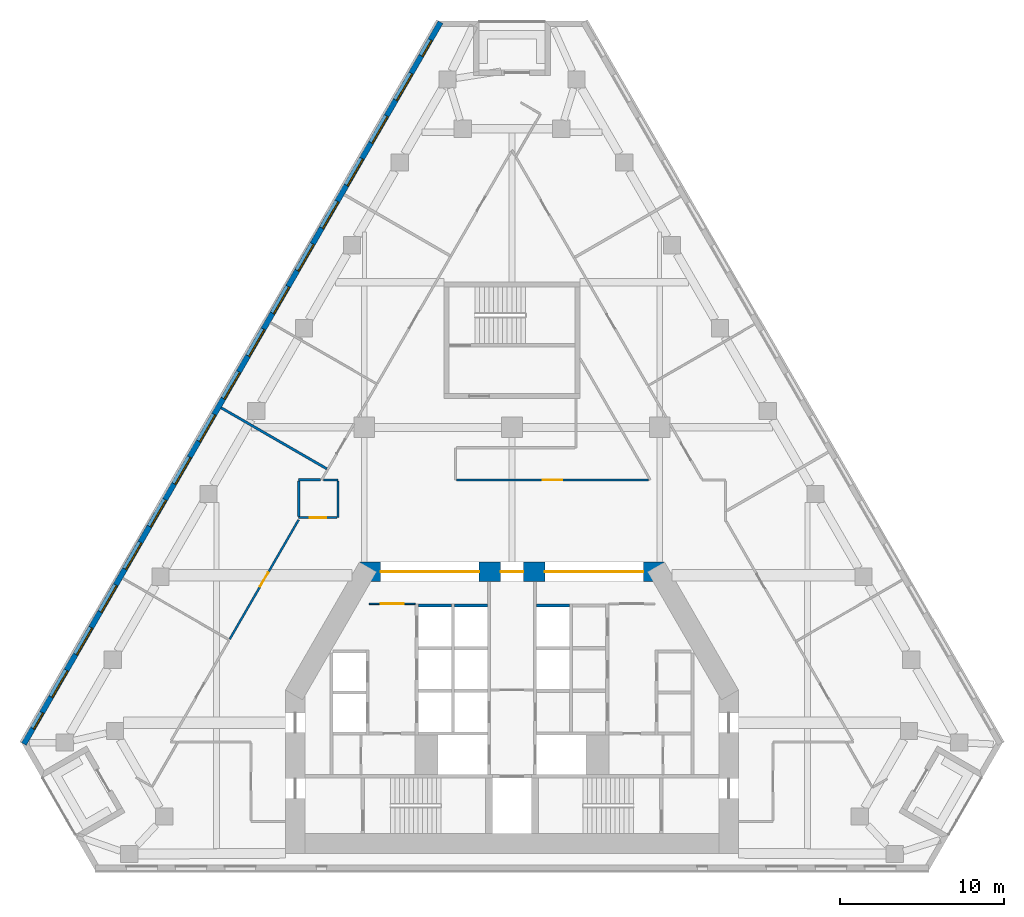
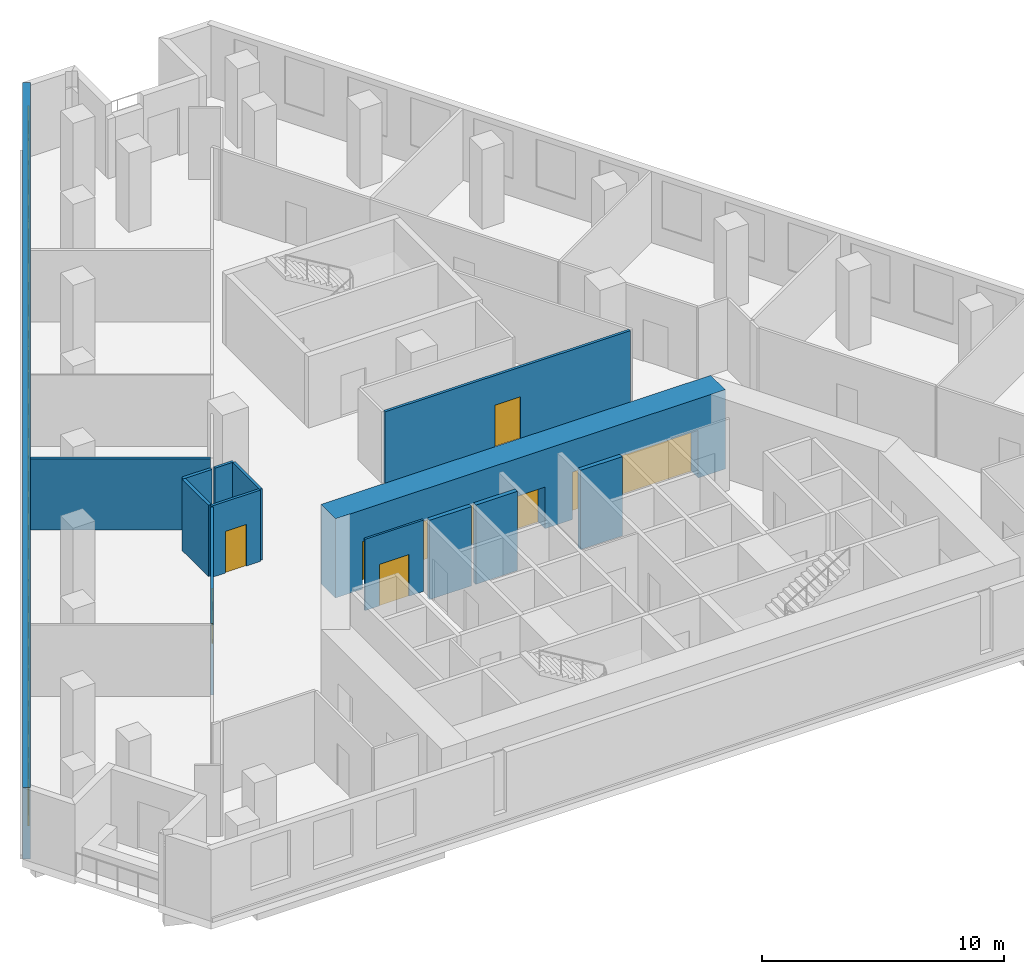
# One storey, part 5 of 10: 17 windows, 14 walls, 7 doors, 24 openings.
"""IFC4 building model written with IfcOpenShell, lengths in metres."""

import ifcopenshell
import ifcopenshell.guid

model = None  # the IFC model being written
_history = None  # IfcOwnerHistory: only IFC2X3 demands one
_inside = {}  # id of a spatial element -> (the spatial element, [elements in it])
_under = {}  # id of a project, library or spatial element -> (it, [spatial elements below it])
_declared = {}  # id of a project -> (the project, [libraries it declares])
_typed = {}  # id of a type object -> (the type object, [elements of that type])
_made_of = {}  # id of a material, layer set ... -> (it, [elements and type objects made of it])


def new_model(schema):
    """Start an empty IFC model of exactly this schema.

    Asked for "IFC4X3", IfcOpenShell would pick the latest addendum, in which some entities
    have other attributes; the version numbers below select the first issue.
    IFC2X3 requires an IfcOwnerHistory on every rooted entity: one is made here for all.
    """
    global model, _history
    if schema == "IFC4X3":
        model = ifcopenshell.file(schema_version=(4, 3, 0, 0))
    else:
        model = ifcopenshell.file(schema=schema)
    _inside.clear()
    _under.clear()
    _declared.clear()
    _typed.clear()
    _made_of.clear()
    _history = None
    if model.schema == "IFC2X3":
        org = make("IfcOrganization", Name="unknown")
        user = make(
            "IfcPersonAndOrganization",
            ThePerson=make("IfcPerson", FamilyName="unknown"),
            TheOrganization=org,
        )
        app = make(
            "IfcApplication",
            ApplicationDeveloper=org,
            Version="unknown",
            ApplicationFullName="unknown",
            ApplicationIdentifier="unknown",
        )
        _history = make(
            "IfcOwnerHistory",
            OwningUser=user,
            OwningApplication=app,
            ChangeAction="ADDED",
            CreationDate=0,
        )
    return model


def make(cls, **values):
    """One entity of the class cls with the attributes given. An attribute that is None is left unset."""
    return model.create_entity(
        cls, **{name: value for name, value in values.items() if value is not None}
    )


def rooted(cls, **values):
    """An entity with a GlobalId (a new one), such as an element, a storey or a relation."""
    return make(cls, GlobalId=ifcopenshell.guid.new(), OwnerHistory=_history, **values)


def si_unit(unit_type, name, prefix=None):
    """IfcSIUnit, for example si_unit("LENGTHUNIT", "METRE", prefix="MILLI")."""
    return make("IfcSIUnit", UnitType=unit_type, Prefix=prefix, Name=name)


def assignment(units):
    """IfcUnitAssignment: the units of a project."""
    return None if units is None else make("IfcUnitAssignment", Units=units)


def point(xyz):
    """IfcCartesianPoint."""
    return None if xyz is None else make("IfcCartesianPoint", Coordinates=xyz)


def direction(xyz):
    """IfcDirection."""
    return None if xyz is None else make("IfcDirection", DirectionRatios=xyz)


def frame(location, z_axis=None, x_axis=None):
    """IfcAxis2Placement3D, a coordinate frame: its origin and axes. An axis left out is left unset."""
    return make(
        "IfcAxis2Placement3D",
        Location=point(location),
        Axis=direction(z_axis),
        RefDirection=direction(x_axis),
    )


def frame_2d(location, x_axis=None):
    """IfcAxis2Placement2D, a coordinate frame in the plane: its origin and x axis."""
    return make(
        "IfcAxis2Placement2D", Location=point(location), RefDirection=direction(x_axis)
    )


def origin():
    """The frame at (0, 0, 0) with its axes left unset."""
    return frame((0.0, 0.0, 0.0))


def place(relative_to, where):
    """IfcLocalPlacement: puts the frame where relative to a parent placement (None: the world)."""
    return make(
        "IfcLocalPlacement", PlacementRelTo=relative_to, RelativePlacement=where
    )


def context(
    kind, dimensions, precision=None, world=None, true_north=None, identifier=None
):
    """IfcGeometricRepresentationContext, for example the 3D "Model" context."""
    return make(
        "IfcGeometricRepresentationContext",
        ContextIdentifier=identifier,
        ContextType=kind,
        CoordinateSpaceDimension=dimensions,
        Precision=precision,
        WorldCoordinateSystem=world,
        TrueNorth=true_north,
    )


def subcontext(parent, identifier, kind, view, scale=None):
    """IfcGeometricRepresentationSubContext, for example "Body" below "Model"."""
    return make(
        "IfcGeometricRepresentationSubContext",
        ContextIdentifier=identifier,
        ContextType=kind,
        ParentContext=parent,
        TargetScale=scale,
        TargetView=view,
    )


def project(units=None, contexts=None):
    """IfcProject with its units and contexts."""
    return rooted(
        "IfcProject",
        Name="project",
        RepresentationContexts=contexts,
        UnitsInContext=assignment(units),
    )


def spatial(cls, under=None, at=None, **own):
    """A site, building, storey or space (cls), placed at a placement, below another one or the project."""
    s = rooted(cls, ObjectPlacement=at, **own)
    if under is not None:
        _under.setdefault(under.id(), (under, []))[1].append(s)
    return s


def profile(cls, at=None, kind="AREA", **sizes):
    """A parametric profile (cls). Its sizes go by their IFC names, for example OverallWidth=200.0."""
    return make(cls, ProfileType=kind, Position=at, **sizes)


def rectangle(**sizes):
    """IfcRectangleProfileDef."""
    return profile("IfcRectangleProfileDef", **sizes)


def extrude(swept, where, along, depth):
    """IfcExtrudedAreaSolid: the profile swept, set in the frame where, extruded along a direction by depth."""
    return make(
        "IfcExtrudedAreaSolid",
        SweptArea=swept,
        Position=where,
        ExtrudedDirection=direction(along),
        Depth=depth,
    )


def shape(context_of_items, identifier, shape_type, items):
    """IfcShapeRepresentation: the items that make up one representation, for example the "Body"."""
    return make(
        "IfcShapeRepresentation",
        ContextOfItems=context_of_items,
        RepresentationIdentifier=identifier,
        RepresentationType=shape_type,
        Items=items,
    )


def material(Name=None, Category=None):
    """IfcMaterial."""
    return make("IfcMaterial", Name=Name, Category=Category)


def layer(
    of_material, thickness, ventilated=None, Name=None, Category=None, Priority=None
):
    """IfcMaterialLayer: one layer of a wall or slab, of a material (None: an air gap)."""
    return make(
        "IfcMaterialLayer",
        Material=of_material,
        LayerThickness=thickness,
        IsVentilated=ventilated,
        Name=Name,
        Category=Category,
        Priority=Priority,
    )


def layer_set(layers, Name=None):
    """IfcMaterialLayerSet."""
    return make("IfcMaterialLayerSet", MaterialLayers=layers, LayerSetName=Name)


def made_of(thing, what):
    """Note that an element or type object is made of a material, layer set ...; save() writes the relation."""
    if what is not None:
        _made_of.setdefault(what.id(), (what, []))[1].append(thing)
    return thing


def type_object(cls, material=None, **own):
    """A type object (cls), such as IfcWallType, which elements share."""
    return made_of(rooted(cls, **own), material)


def element(
    cls,
    number,
    at=None,
    inside=None,
    cuts=None,
    type_object=None,
    material=None,
    context=None,
    identifier="Body",
    shape_type=None,
    held_by="IfcProductDefinitionShape",
    body=None,
    shapes=None,
    **own,
):
    """One element of the class cls, such as IfcWall. Its Tag is "e" and its number.

    at: its placement. inside: the storey or other place that contains it. cuts: it is an
    opening in that element (IfcRelVoidsElement). A single representation is given by context,
    identifier, shape_type and body (its items); several are given by shapes. held_by: the class
    of the entity that holds the representations. save() writes the other relations.
    """
    e = rooted(cls, Tag="e%d" % number, ObjectPlacement=at, **own)
    if body is not None:
        shapes = [shape(context, identifier, shape_type, body)]
    if shapes is not None:
        e.Representation = make(held_by, Representations=shapes)
    if inside is not None:
        _inside.setdefault(inside.id(), (inside, []))[1].append(e)
    if cuts is not None:
        rooted(
            "IfcRelVoidsElement", RelatingBuildingElement=cuts, RelatedOpeningElement=e
        )
    if type_object is not None:
        _typed.setdefault(type_object.id(), (type_object, []))[1].append(e)
    return made_of(e, material)


def fill(opening, filler):
    """IfcRelFillsElement: the door or window that sits in an opening."""
    return rooted(
        "IfcRelFillsElement",
        RelatingOpeningElement=opening,
        RelatedBuildingElement=filler,
    )


def aggregate(whole, parts):
    """IfcRelAggregates: a whole, such as a stair, and the parts it consists of."""
    return rooted("IfcRelAggregates", RelatingObject=whole, RelatedObjects=parts)


def save(model, path):
    """Write the relations noted so far, then the file.

    IfcRelAggregates (storeys below a building ...), IfcRelContainedInSpatialStructure (elements
    in a storey), IfcRelDefinesByType, IfcRelAssociatesMaterial and IfcRelDeclares: one each for
    every whole, place, type object, material and project.
    """
    for whole, parts in _under.values():
        aggregate(whole, parts)
    for where, things in _inside.values():
        rooted(
            "IfcRelContainedInSpatialStructure",
            RelatedElements=things,
            RelatingStructure=where,
        )
    for kind, things in _typed.values():
        rooted("IfcRelDefinesByType", RelatedObjects=things, RelatingType=kind)
    for what, things in _made_of.values():
        rooted("IfcRelAssociatesMaterial", RelatedObjects=things, RelatingMaterial=what)
    for by, libraries in _declared.values():
        rooted("IfcRelDeclares", RelatingContext=by, RelatedDefinitions=libraries)
    model.write(path)


model = new_model("IFC4")

# Units and contexts
model_context = context("Model", 3, precision=1e-05, world=origin(), true_north=direction((0.0, 1.0)))
body_context = subcontext(model_context, "Body", "Model", "MODEL_VIEW")
ifc_project = project(units=[si_unit("LENGTHUNIT", "METRE"), si_unit("AREAUNIT", "SQUARE_METRE"), si_unit("VOLUMEUNIT", "CUBIC_METRE"), si_unit("PLANEANGLEUNIT", "RADIAN"), si_unit("MASSUNIT", "GRAM", prefix="KILO")], contexts=[model_context])

# Site, building, storey
site_placement = place(None, origin())
site = spatial("IfcSite", under=ifc_project, at=site_placement, CompositionType="ELEMENT")
building_placement = place(site_placement, origin())
building = spatial("IfcBuilding", under=site, at=building_placement, Name="Fogline Exchange Tower", CompositionType="ELEMENT")
storey_placement = place(building_placement, frame((0.0, 0.0, 120.10009765625)))
storey = spatial("IfcBuildingStorey", under=building, at=storey_placement, Name="L26", CompositionType="ELEMENT", Elevation=120.10009765625)

# Wall, opening, door
ifc_material_1 = material(Name="Blockwork partition", Category="masonry")
ifc_layer_1 = layer(ifc_material_1, 0.10009765625)
ifc_layer_set_1 = layer_set([ifc_layer_1], Name="CW10")
wall_type_1 = type_object("IfcWallType", Name="CW10", PredefinedType="PARTITIONING", material=ifc_layer_set_1)
wall_1_placement = place(storey_placement, frame((-8.699951171875, 16.25, 0.0), z_axis=(0.0, 0.0, 1.0), x_axis=(1.0, 0.0, 0.0)))
wall_1 = element("IfcWall", 1, at=wall_1_placement, inside=storey, type_object=wall_type_1, Name="Lift lobby partition", PredefinedType="PARTITIONING", context=body_context, shape_type="SweptSolid", body=[
    extrude(rectangle(XDim=2.800048828125, YDim=0.10009765625, at=frame_2d((1.39990234375, 0.0))), origin(), (0.0, 0.0, 1.0), 3.599853515625),
])
opening_1_placement = place(wall_1_placement, frame((0.699951171875, 0.0, 0.0)))
opening_1 = element("IfcOpeningElement", 2, at=opening_1_placement, cuts=wall_1, Name="Opening T08-C007", PredefinedType="OPENING", context=body_context, shape_type="SweptSolid", body=[
    extrude(rectangle(XDim=1.39990234375, YDim=2.10009765625, at=frame_2d((0.699951171875, 1.050048828125))), frame((0.0, 0.06005859375, 0.0), z_axis=(0.0, -1.0, 0.0), x_axis=(1.0, 0.0, 0.0)), (0.0, 0.0, 1.0), 0.1201171875),
])
ifc_material_2 = material(Name="Steel and timber fire door", Category="steel")
door_type_1 = type_object("IfcDoorType", Name="D-LB1", OperationType="DOUBLE_DOOR_SINGLE_SWING", PredefinedType="DOOR", material=ifc_material_2)
door_1_placement = place(opening_1_placement, origin())
door_1 = element("IfcDoor", 3, at=door_1_placement, inside=storey, type_object=door_type_1, Name="Door to lift lobby", OperationType="DOUBLE_DOOR_SINGLE_SWING", OverallHeight=2.10009765625, OverallWidth=1.39990234375, PredefinedType="DOOR", context=body_context, shape_type="SweptSolid", body=[
    extrude(rectangle(XDim=1.39990234375, YDim=2.10009765625, at=frame_2d((0.699951171875, 1.050048828125))), frame((0.0, 0.02490234375, 0.0), z_axis=(0.0, -1.0, 0.0), x_axis=(1.0, 0.0, 0.0)), (0.0, 0.0, 1.0), 0.050048828125),
])
fill(opening_1, door_1)

# Walls
ifc_material_3 = material(Name="Concrete C40", Category="concrete")
ifc_layer_2 = layer(ifc_material_3, 0.199951171875)
ifc_layer_set_2 = layer_set([ifc_layer_2], Name="CW20S")
wall_type_2 = type_object("IfcWallType", Name="CW20S", PredefinedType="SOLIDWALL", material=ifc_layer_set_2)
for number, where, z_axis, x_axis, name in (
    (4, (-5.699951171875, 16.14990234375, -0.400146484375), (0.0, 0.0, 1.0), (1.0, 0.0, 0.0), "Lift shaft wall"),
    (5, (-3.5, 16.14990234375, -0.400146484375), (0.0, 0.0, 1.0), (1.0, 0.0, 0.0), "Lift shaft wall"),
    (6, (1.5, 16.14990234375, -0.400146484375), (0.0, 0.0, 1.0), (1.0, 0.0, 0.0), "Lift shaft wall"),
):
    element("IfcWall", number, at=place(storey_placement, frame(where, z_axis=z_axis, x_axis=x_axis)), inside=storey, type_object=wall_type_2, Name=name, PredefinedType="SOLIDWALL", context=body_context, shape_type="SweptSolid", body=[
        extrude(rectangle(XDim=2.0, YDim=0.199951171875, at=frame_2d((1.0, 0.0))), origin(), (0.0, 0.0, 1.0), 4.0),
    ])

# Wall, openings, windows
ifc_material_4 = material(Name="Brick masonry", Category="masonry")
ifc_layer_3 = layer(ifc_material_4, 0.340087890625)
ifc_layer_set_3 = layer_set([ifc_layer_3], Name="FW1")
wall_type_3 = type_object("IfcWallType", Name="FW1", PredefinedType="SOLIDWALL", material=ifc_layer_set_3)
wall_2_placement = place(storey_placement, frame((-4.352783203125, 51.691650390625, 0.0), z_axis=(0.0, 0.0, 1.0), x_axis=(-0.500000700546, -0.866024999324, 0.0)))
wall_2 = element("IfcWall", 7, at=wall_2_placement, inside=storey, type_object=wall_type_3, Name="Brick wall L26 W", PredefinedType="SOLIDWALL", context=body_context, shape_type="SweptSolid", body=[
    extrude(rectangle(XDim=50.78662109375, YDim=0.340087890625, at=frame_2d((25.393310546875, 0.0))), origin(), (0.0, 0.0, 1.0), 3.599853515625),
])
opening_2_placement = place(wall_2_placement, frame((3.58984375, 0.0, 0.89990234375)))
opening_2 = element("IfcOpeningElement", 8, at=opening_2_placement, cuts=wall_2, Name="Opening W1", PredefinedType="OPENING", context=body_context, shape_type="SweptSolid", body=[
    extrude(rectangle(XDim=1.885009765625, YDim=2.39990234375, at=frame_2d((0.9423828125, 1.199951171875))), frame((0.0, 0.18017578125, 0.0), z_axis=(0.0, -1.0, 0.0), x_axis=(1.0, 0.0, 0.0)), (0.0, 0.0, 1.0), 0.360107421875),
])
opening_3_placement = place(wall_2_placement, frame((6.58984375, 0.0, 0.89990234375)))
opening_3 = element("IfcOpeningElement", 9, at=opening_3_placement, cuts=wall_2, Name="Opening W1", PredefinedType="OPENING", context=body_context, shape_type="SweptSolid", body=[
    extrude(rectangle(XDim=1.885009765625, YDim=2.39990234375, at=frame_2d((0.9423828125, 1.199951171875))), frame((0.0, 0.18017578125, 0.0), z_axis=(0.0, -1.0, 0.0), x_axis=(1.0, 0.0, 0.0)), (0.0, 0.0, 1.0), 0.360107421875),
])
opening_4_placement = place(wall_2_placement, frame((9.58984375, 0.0, 0.89990234375)))
opening_4 = element("IfcOpeningElement", 10, at=opening_4_placement, cuts=wall_2, Name="Opening W1", PredefinedType="OPENING", context=body_context, shape_type="SweptSolid", body=[
    extrude(rectangle(XDim=1.885009765625, YDim=2.39990234375, at=frame_2d((0.9423828125, 1.199951171875))), frame((0.0, 0.18017578125, 0.0), z_axis=(0.0, -1.0, 0.0), x_axis=(1.0, 0.0, 0.0)), (0.0, 0.0, 1.0), 0.360107421875),
])
opening_5_placement = place(wall_2_placement, frame((12.58984375, 0.0, 0.89990234375)))
opening_5 = element("IfcOpeningElement", 11, at=opening_5_placement, cuts=wall_2, Name="Opening W1", PredefinedType="OPENING", context=body_context, shape_type="SweptSolid", body=[
    extrude(rectangle(XDim=1.885009765625, YDim=2.39990234375, at=frame_2d((0.9423828125, 1.199951171875))), frame((0.0, 0.18017578125, 0.0), z_axis=(0.0, -1.0, 0.0), x_axis=(1.0, 0.0, 0.0)), (0.0, 0.0, 1.0), 0.360107421875),
])
opening_6_placement = place(wall_2_placement, frame((15.58984375, 0.0, 0.89990234375)))
opening_6 = element("IfcOpeningElement", 12, at=opening_6_placement, cuts=wall_2, Name="Opening W1", PredefinedType="OPENING", context=body_context, shape_type="SweptSolid", body=[
    extrude(rectangle(XDim=1.885009765625, YDim=2.39990234375, at=frame_2d((0.9423828125, 1.199951171875))), frame((0.0, 0.18017578125, 0.0), z_axis=(0.0, -1.0, 0.0), x_axis=(1.0, 0.0, 0.0)), (0.0, 0.0, 1.0), 0.360107421875),
])
opening_7_placement = place(wall_2_placement, frame((18.58984375, 0.0, 0.89990234375)))
opening_7 = element("IfcOpeningElement", 13, at=opening_7_placement, cuts=wall_2, Name="Opening W1", PredefinedType="OPENING", context=body_context, shape_type="SweptSolid", body=[
    extrude(rectangle(XDim=1.885009765625, YDim=2.39990234375, at=frame_2d((0.9423828125, 1.199951171875))), frame((0.0, 0.18017578125, 0.0), z_axis=(0.0, -1.0, 0.0), x_axis=(1.0, 0.0, 0.0)), (0.0, 0.0, 1.0), 0.360107421875),
])
opening_8_placement = place(wall_2_placement, frame((21.58984375, 0.0, 0.89990234375)))
opening_8 = element("IfcOpeningElement", 14, at=opening_8_placement, cuts=wall_2, Name="Opening W1", PredefinedType="OPENING", context=body_context, shape_type="SweptSolid", body=[
    extrude(rectangle(XDim=1.885009765625, YDim=2.39990234375, at=frame_2d((0.9423828125, 1.199951171875))), frame((0.0, 0.18017578125, 0.0), z_axis=(0.0, -1.0, 0.0), x_axis=(1.0, 0.0, 0.0)), (0.0, 0.0, 1.0), 0.360107421875),
])
opening_9_placement = place(wall_2_placement, frame((24.58984375, 0.0, 0.89990234375)))
opening_9 = element("IfcOpeningElement", 15, at=opening_9_placement, cuts=wall_2, Name="Opening W1", PredefinedType="OPENING", context=body_context, shape_type="SweptSolid", body=[
    extrude(rectangle(XDim=1.885009765625, YDim=2.39990234375, at=frame_2d((0.9423828125, 1.199951171875))), frame((0.0, 0.18017578125, 0.0), z_axis=(0.0, -1.0, 0.0), x_axis=(1.0, 0.0, 0.0)), (0.0, 0.0, 1.0), 0.360107421875),
])
opening_10_placement = place(wall_2_placement, frame((27.58984375, 0.0, 0.89990234375)))
opening_10 = element("IfcOpeningElement", 16, at=opening_10_placement, cuts=wall_2, Name="Opening W1", PredefinedType="OPENING", context=body_context, shape_type="SweptSolid", body=[
    extrude(rectangle(XDim=1.885009765625, YDim=2.39990234375, at=frame_2d((0.9423828125, 1.199951171875))), frame((0.0, 0.18017578125, 0.0), z_axis=(0.0, -1.0, 0.0), x_axis=(1.0, 0.0, 0.0)), (0.0, 0.0, 1.0), 0.360107421875),
])
opening_11_placement = place(wall_2_placement, frame((30.58984375, 0.0, 0.89990234375)))
opening_11 = element("IfcOpeningElement", 17, at=opening_11_placement, cuts=wall_2, Name="Opening W1", PredefinedType="OPENING", context=body_context, shape_type="SweptSolid", body=[
    extrude(rectangle(XDim=1.885009765625, YDim=2.39990234375, at=frame_2d((0.9423828125, 1.199951171875))), frame((0.0, 0.18017578125, 0.0), z_axis=(0.0, -1.0, 0.0), x_axis=(1.0, 0.0, 0.0)), (0.0, 0.0, 1.0), 0.360107421875),
])
opening_12_placement = place(wall_2_placement, frame((33.58984375, 0.0, 0.89990234375)))
opening_12 = element("IfcOpeningElement", 18, at=opening_12_placement, cuts=wall_2, Name="Opening W1", PredefinedType="OPENING", context=body_context, shape_type="SweptSolid", body=[
    extrude(rectangle(XDim=1.885009765625, YDim=2.39990234375, at=frame_2d((0.9423828125, 1.199951171875))), frame((0.0, 0.18017578125, 0.0), z_axis=(0.0, -1.0, 0.0), x_axis=(1.0, 0.0, 0.0)), (0.0, 0.0, 1.0), 0.360107421875),
])
opening_13_placement = place(wall_2_placement, frame((36.58984375, 0.0, 0.89990234375)))
opening_13 = element("IfcOpeningElement", 19, at=opening_13_placement, cuts=wall_2, Name="Opening W1", PredefinedType="OPENING", context=body_context, shape_type="SweptSolid", body=[
    extrude(rectangle(XDim=1.885009765625, YDim=2.39990234375, at=frame_2d((0.9423828125, 1.199951171875))), frame((0.0, 0.18017578125, 0.0), z_axis=(0.0, -1.0, 0.0), x_axis=(1.0, 0.0, 0.0)), (0.0, 0.0, 1.0), 0.360107421875),
])
opening_14_placement = place(wall_2_placement, frame((39.58984375, 0.0, 0.89990234375)))
opening_14 = element("IfcOpeningElement", 20, at=opening_14_placement, cuts=wall_2, Name="Opening W1", PredefinedType="OPENING", context=body_context, shape_type="SweptSolid", body=[
    extrude(rectangle(XDim=1.885009765625, YDim=2.39990234375, at=frame_2d((0.9423828125, 1.199951171875))), frame((0.0, 0.18017578125, 0.0), z_axis=(0.0, -1.0, 0.0), x_axis=(1.0, 0.0, 0.0)), (0.0, 0.0, 1.0), 0.360107421875),
])
opening_15_placement = place(wall_2_placement, frame((42.58984375, 0.0, 0.89990234375)))
opening_15 = element("IfcOpeningElement", 21, at=opening_15_placement, cuts=wall_2, Name="Opening W1", PredefinedType="OPENING", context=body_context, shape_type="SweptSolid", body=[
    extrude(rectangle(XDim=1.885009765625, YDim=2.39990234375, at=frame_2d((0.9423828125, 1.199951171875))), frame((0.0, 0.18017578125, 0.0), z_axis=(0.0, -1.0, 0.0), x_axis=(1.0, 0.0, 0.0)), (0.0, 0.0, 1.0), 0.360107421875),
])
opening_16_placement = place(wall_2_placement, frame((45.58984375, 0.0, 0.89990234375)))
opening_16 = element("IfcOpeningElement", 22, at=opening_16_placement, cuts=wall_2, Name="Opening W1", PredefinedType="OPENING", context=body_context, shape_type="SweptSolid", body=[
    extrude(rectangle(XDim=1.885009765625, YDim=2.39990234375, at=frame_2d((0.9423828125, 1.199951171875))), frame((0.0, 0.18017578125, 0.0), z_axis=(0.0, -1.0, 0.0), x_axis=(1.0, 0.0, 0.0)), (0.0, 0.0, 1.0), 0.360107421875),
])
opening_17_placement = place(wall_2_placement, frame((1.237548828125, 0.0, 0.89990234375)))
opening_17 = element("IfcOpeningElement", 23, at=opening_17_placement, cuts=wall_2, Name="Opening W4", PredefinedType="OPENING", context=body_context, shape_type="SweptSolid", body=[
    extrude(rectangle(XDim=1.114990234375, YDim=2.39990234375, at=frame_2d((0.5576171875, 1.199951171875))), frame((0.0, 0.18017578125, 0.0), z_axis=(0.0, -1.0, 0.0), x_axis=(1.0, 0.0, 0.0)), (0.0, 0.0, 1.0), 0.360107421875),
])
opening_18_placement = place(wall_2_placement, frame((48.5732421875, 0.0, 0.89990234375)))
opening_18 = element("IfcOpeningElement", 24, at=opening_18_placement, cuts=wall_2, Name="Opening W4", PredefinedType="OPENING", context=body_context, shape_type="SweptSolid", body=[
    extrude(rectangle(XDim=1.114990234375, YDim=2.39990234375, at=frame_2d((0.5576171875, 1.199951171875))), frame((0.0, 0.18017578125, 0.0), z_axis=(0.0, -1.0, 0.0), x_axis=(1.0, 0.0, 0.0)), (0.0, 0.0, 1.0), 0.360107421875),
])
ifc_material_5 = material(Name="Aluminium and glass", Category="aluminium")
window_type_1 = type_object("IfcWindowType", Name="W1", PartitioningType="SINGLE_PANEL", PredefinedType="WINDOW", material=ifc_material_5)
window_1_placement = place(opening_2_placement, origin())
window_1 = element("IfcWindow", 25, at=window_1_placement, inside=storey, type_object=window_type_1, Name="W1 W1", OverallHeight=2.39990234375, OverallWidth=1.885009765625, PartitioningType="SINGLE_PANEL", PredefinedType="WINDOW", context=body_context, shape_type="SweptSolid", body=[
    extrude(rectangle(XDim=1.885009765625, YDim=2.39990234375, at=frame_2d((0.9423828125, 1.199951171875))), frame((0.0, 0.110107421875, 0.0), z_axis=(0.0, -1.0, 0.0), x_axis=(1.0, 0.0, 0.0)), (0.0, 0.0, 1.0), 0.06005859375),
])
fill(opening_2, window_1)
window_2_placement = place(opening_3_placement, origin())
window_2 = element("IfcWindow", 26, at=window_2_placement, inside=storey, type_object=window_type_1, Name="W1 W1", OverallHeight=2.39990234375, OverallWidth=1.885009765625, PartitioningType="SINGLE_PANEL", PredefinedType="WINDOW", context=body_context, shape_type="SweptSolid", body=[
    extrude(rectangle(XDim=1.885009765625, YDim=2.39990234375, at=frame_2d((0.9423828125, 1.199951171875))), frame((0.0, 0.110107421875, 0.0), z_axis=(0.0, -1.0, 0.0), x_axis=(1.0, 0.0, 0.0)), (0.0, 0.0, 1.0), 0.06005859375),
])
fill(opening_3, window_2)
window_3_placement = place(opening_4_placement, origin())
window_3 = element("IfcWindow", 27, at=window_3_placement, inside=storey, type_object=window_type_1, Name="W1 W1", OverallHeight=2.39990234375, OverallWidth=1.885009765625, PartitioningType="SINGLE_PANEL", PredefinedType="WINDOW", context=body_context, shape_type="SweptSolid", body=[
    extrude(rectangle(XDim=1.885009765625, YDim=2.39990234375, at=frame_2d((0.9423828125, 1.199951171875))), frame((0.0, 0.110107421875, 0.0), z_axis=(0.0, -1.0, 0.0), x_axis=(1.0, 0.0, 0.0)), (0.0, 0.0, 1.0), 0.06005859375),
])
fill(opening_4, window_3)
window_4_placement = place(opening_5_placement, origin())
window_4 = element("IfcWindow", 28, at=window_4_placement, inside=storey, type_object=window_type_1, Name="W1 W1", OverallHeight=2.39990234375, OverallWidth=1.885009765625, PartitioningType="SINGLE_PANEL", PredefinedType="WINDOW", context=body_context, shape_type="SweptSolid", body=[
    extrude(rectangle(XDim=1.885009765625, YDim=2.39990234375, at=frame_2d((0.9423828125, 1.199951171875))), frame((0.0, 0.110107421875, 0.0), z_axis=(0.0, -1.0, 0.0), x_axis=(1.0, 0.0, 0.0)), (0.0, 0.0, 1.0), 0.06005859375),
])
fill(opening_5, window_4)
window_5_placement = place(opening_6_placement, origin())
window_5 = element("IfcWindow", 29, at=window_5_placement, inside=storey, type_object=window_type_1, Name="W1 W1", OverallHeight=2.39990234375, OverallWidth=1.885009765625, PartitioningType="SINGLE_PANEL", PredefinedType="WINDOW", context=body_context, shape_type="SweptSolid", body=[
    extrude(rectangle(XDim=1.885009765625, YDim=2.39990234375, at=frame_2d((0.9423828125, 1.199951171875))), frame((0.0, 0.110107421875, 0.0), z_axis=(0.0, -1.0, 0.0), x_axis=(1.0, 0.0, 0.0)), (0.0, 0.0, 1.0), 0.06005859375),
])
fill(opening_6, window_5)
window_6_placement = place(opening_7_placement, origin())
window_6 = element("IfcWindow", 30, at=window_6_placement, inside=storey, type_object=window_type_1, Name="W1 W1", OverallHeight=2.39990234375, OverallWidth=1.885009765625, PartitioningType="SINGLE_PANEL", PredefinedType="WINDOW", context=body_context, shape_type="SweptSolid", body=[
    extrude(rectangle(XDim=1.885009765625, YDim=2.39990234375, at=frame_2d((0.9423828125, 1.199951171875))), frame((0.0, 0.110107421875, 0.0), z_axis=(0.0, -1.0, 0.0), x_axis=(1.0, 0.0, 0.0)), (0.0, 0.0, 1.0), 0.06005859375),
])
fill(opening_7, window_6)
window_7_placement = place(opening_8_placement, origin())
window_7 = element("IfcWindow", 31, at=window_7_placement, inside=storey, type_object=window_type_1, Name="W1 W1", OverallHeight=2.39990234375, OverallWidth=1.885009765625, PartitioningType="SINGLE_PANEL", PredefinedType="WINDOW", context=body_context, shape_type="SweptSolid", body=[
    extrude(rectangle(XDim=1.885009765625, YDim=2.39990234375, at=frame_2d((0.9423828125, 1.199951171875))), frame((0.0, 0.110107421875, 0.0), z_axis=(0.0, -1.0, 0.0), x_axis=(1.0, 0.0, 0.0)), (0.0, 0.0, 1.0), 0.06005859375),
])
fill(opening_8, window_7)
window_8_placement = place(opening_9_placement, origin())
window_8 = element("IfcWindow", 32, at=window_8_placement, inside=storey, type_object=window_type_1, Name="W1 W1", OverallHeight=2.39990234375, OverallWidth=1.885009765625, PartitioningType="SINGLE_PANEL", PredefinedType="WINDOW", context=body_context, shape_type="SweptSolid", body=[
    extrude(rectangle(XDim=1.885009765625, YDim=2.39990234375, at=frame_2d((0.9423828125, 1.199951171875))), frame((0.0, 0.110107421875, 0.0), z_axis=(0.0, -1.0, 0.0), x_axis=(1.0, 0.0, 0.0)), (0.0, 0.0, 1.0), 0.06005859375),
])
fill(opening_9, window_8)
window_9_placement = place(opening_10_placement, origin())
window_9 = element("IfcWindow", 33, at=window_9_placement, inside=storey, type_object=window_type_1, Name="W1 W1", OverallHeight=2.39990234375, OverallWidth=1.885009765625, PartitioningType="SINGLE_PANEL", PredefinedType="WINDOW", context=body_context, shape_type="SweptSolid", body=[
    extrude(rectangle(XDim=1.885009765625, YDim=2.39990234375, at=frame_2d((0.9423828125, 1.199951171875))), frame((0.0, 0.110107421875, 0.0), z_axis=(0.0, -1.0, 0.0), x_axis=(1.0, 0.0, 0.0)), (0.0, 0.0, 1.0), 0.06005859375),
])
fill(opening_10, window_9)
window_10_placement = place(opening_11_placement, origin())
window_10 = element("IfcWindow", 34, at=window_10_placement, inside=storey, type_object=window_type_1, Name="W1 W1", OverallHeight=2.39990234375, OverallWidth=1.885009765625, PartitioningType="SINGLE_PANEL", PredefinedType="WINDOW", context=body_context, shape_type="SweptSolid", body=[
    extrude(rectangle(XDim=1.885009765625, YDim=2.39990234375, at=frame_2d((0.9423828125, 1.199951171875))), frame((0.0, 0.110107421875, 0.0), z_axis=(0.0, -1.0, 0.0), x_axis=(1.0, 0.0, 0.0)), (0.0, 0.0, 1.0), 0.06005859375),
])
fill(opening_11, window_10)
window_11_placement = place(opening_12_placement, origin())
window_11 = element("IfcWindow", 35, at=window_11_placement, inside=storey, type_object=window_type_1, Name="W1 W1", OverallHeight=2.39990234375, OverallWidth=1.885009765625, PartitioningType="SINGLE_PANEL", PredefinedType="WINDOW", context=body_context, shape_type="SweptSolid", body=[
    extrude(rectangle(XDim=1.885009765625, YDim=2.39990234375, at=frame_2d((0.9423828125, 1.199951171875))), frame((0.0, 0.110107421875, 0.0), z_axis=(0.0, -1.0, 0.0), x_axis=(1.0, 0.0, 0.0)), (0.0, 0.0, 1.0), 0.06005859375),
])
fill(opening_12, window_11)
window_12_placement = place(opening_13_placement, origin())
window_12 = element("IfcWindow", 36, at=window_12_placement, inside=storey, type_object=window_type_1, Name="W1 W1", OverallHeight=2.39990234375, OverallWidth=1.885009765625, PartitioningType="SINGLE_PANEL", PredefinedType="WINDOW", context=body_context, shape_type="SweptSolid", body=[
    extrude(rectangle(XDim=1.885009765625, YDim=2.39990234375, at=frame_2d((0.9423828125, 1.199951171875))), frame((0.0, 0.110107421875, 0.0), z_axis=(0.0, -1.0, 0.0), x_axis=(1.0, 0.0, 0.0)), (0.0, 0.0, 1.0), 0.06005859375),
])
fill(opening_13, window_12)
window_13_placement = place(opening_14_placement, origin())
window_13 = element("IfcWindow", 37, at=window_13_placement, inside=storey, type_object=window_type_1, Name="W1 W1", OverallHeight=2.39990234375, OverallWidth=1.885009765625, PartitioningType="SINGLE_PANEL", PredefinedType="WINDOW", context=body_context, shape_type="SweptSolid", body=[
    extrude(rectangle(XDim=1.885009765625, YDim=2.39990234375, at=frame_2d((0.9423828125, 1.199951171875))), frame((0.0, 0.110107421875, 0.0), z_axis=(0.0, -1.0, 0.0), x_axis=(1.0, 0.0, 0.0)), (0.0, 0.0, 1.0), 0.06005859375),
])
fill(opening_14, window_13)
window_14_placement = place(opening_15_placement, origin())
window_14 = element("IfcWindow", 38, at=window_14_placement, inside=storey, type_object=window_type_1, Name="W1 W1", OverallHeight=2.39990234375, OverallWidth=1.885009765625, PartitioningType="SINGLE_PANEL", PredefinedType="WINDOW", context=body_context, shape_type="SweptSolid", body=[
    extrude(rectangle(XDim=1.885009765625, YDim=2.39990234375, at=frame_2d((0.9423828125, 1.199951171875))), frame((0.0, 0.110107421875, 0.0), z_axis=(0.0, -1.0, 0.0), x_axis=(1.0, 0.0, 0.0)), (0.0, 0.0, 1.0), 0.06005859375),
])
fill(opening_15, window_14)
window_15_placement = place(opening_16_placement, origin())
window_15 = element("IfcWindow", 39, at=window_15_placement, inside=storey, type_object=window_type_1, Name="W1 W1", OverallHeight=2.39990234375, OverallWidth=1.885009765625, PartitioningType="SINGLE_PANEL", PredefinedType="WINDOW", context=body_context, shape_type="SweptSolid", body=[
    extrude(rectangle(XDim=1.885009765625, YDim=2.39990234375, at=frame_2d((0.9423828125, 1.199951171875))), frame((0.0, 0.110107421875, 0.0), z_axis=(0.0, -1.0, 0.0), x_axis=(1.0, 0.0, 0.0)), (0.0, 0.0, 1.0), 0.06005859375),
])
fill(opening_16, window_15)
window_type_2 = type_object("IfcWindowType", Name="W4", PartitioningType="SINGLE_PANEL", PredefinedType="WINDOW", material=ifc_material_5)
window_16_placement = place(opening_17_placement, origin())
window_16 = element("IfcWindow", 40, at=window_16_placement, inside=storey, type_object=window_type_2, Name="W4 W4", OverallHeight=2.39990234375, OverallWidth=1.114990234375, PartitioningType="SINGLE_PANEL", PredefinedType="WINDOW", context=body_context, shape_type="SweptSolid", body=[
    extrude(rectangle(XDim=1.114990234375, YDim=2.39990234375, at=frame_2d((0.5576171875, 1.199951171875))), frame((0.0, 0.110107421875, 0.0), z_axis=(0.0, -1.0, 0.0), x_axis=(1.0, 0.0, 0.0)), (0.0, 0.0, 1.0), 0.06005859375),
])
fill(opening_17, window_16)
window_17_placement = place(opening_18_placement, origin())
window_17 = element("IfcWindow", 41, at=window_17_placement, inside=storey, type_object=window_type_2, Name="W4 W4", OverallHeight=2.39990234375, OverallWidth=1.114990234375, PartitioningType="SINGLE_PANEL", PredefinedType="WINDOW", context=body_context, shape_type="SweptSolid", body=[
    extrude(rectangle(XDim=1.114990234375, YDim=2.39990234375, at=frame_2d((0.5576171875, 1.199951171875))), frame((0.0, 0.110107421875, 0.0), z_axis=(0.0, -1.0, 0.0), x_axis=(1.0, 0.0, 0.0)), (0.0, 0.0, 1.0), 0.06005859375),
])
fill(opening_18, window_17)

# Wall, opening, door
ifc_material_6 = material(Name="Plasterboard corridor partition with mineral wool, 2 layers each side")
ifc_layer_4 = layer(ifc_material_6, 0.125)
ifc_layer_set_4 = layer_set([ifc_layer_4], Name="PW2")
wall_type_4 = type_object("IfcWallType", Name="PW2", PredefinedType="PARTITIONING", material=ifc_layer_set_4)
wall_3_placement = place(storey_placement, frame((-3.387451171875, 23.800048828125, 0.0), z_axis=(0.0, 0.0, 1.0), x_axis=(1.0, 0.0, 0.0)))
wall_3 = element("IfcWall", 42, at=wall_3_placement, inside=storey, type_object=wall_type_4, Name="wall-L26-W005", PredefinedType="PARTITIONING", context=body_context, shape_type="SweptSolid", body=[
    extrude(rectangle(XDim=11.70263671875, YDim=0.125, at=frame_2d((5.851318359375, 0.0))), origin(), (0.0, 0.0, 1.0), 3.599853515625),
])
opening_19_placement = place(wall_3_placement, frame((5.25146484375, 0.0, 0.0)))
opening_19 = element("IfcOpeningElement", 43, at=opening_19_placement, cuts=wall_3, Name="Opening T08-D002", PredefinedType="OPENING", context=body_context, shape_type="SweptSolid", body=[
    extrude(rectangle(XDim=1.199951171875, YDim=2.10009765625, at=frame_2d((0.60009765625, 1.050048828125))), frame((0.0, 0.072509765625, 0.0), z_axis=(0.0, -1.0, 0.0), x_axis=(1.0, 0.0, 0.0)), (0.0, 0.0, 1.0), 0.14501953125),
])
ifc_material_7 = material(Name="Fire-rated glazed door leaf with steel frame", Category="steel")
door_type_2 = type_object("IfcDoorType", Name="D5", OperationType="SINGLE_SWING_LEFT", PredefinedType="DOOR", material=ifc_material_7)
door_2_placement = place(opening_19_placement, origin())
door_2 = element("IfcDoor", 44, at=door_2_placement, inside=storey, type_object=door_type_2, Name="door-L26-D002", OperationType="SINGLE_SWING_RIGHT", OverallHeight=2.10009765625, OverallWidth=1.199951171875, PredefinedType="DOOR", context=body_context, shape_type="SweptSolid", body=[
    extrude(rectangle(XDim=1.199951171875, YDim=2.10009765625, at=frame_2d((0.60009765625, 1.050048828125))), frame((0.0, 0.02490234375, 0.0), z_axis=(0.0, -1.0, 0.0), x_axis=(1.0, 0.0, 0.0)), (0.0, 0.0, 1.0), 0.050048828125),
])
fill(opening_19, door_2)

wall_4_placement = place(storey_placement, frame((-13.0, 21.5, 0.0), z_axis=(0.0, 0.0, 1.0), x_axis=(1.0, 0.0, 0.0)))
wall_4 = element("IfcWall", 45, at=wall_4_placement, inside=storey, type_object=wall_type_4, Name="wall-L26-W006", PredefinedType="PARTITIONING", context=body_context, shape_type="SweptSolid", body=[
    extrude(rectangle(XDim=2.33740234375, YDim=0.125, at=frame_2d((1.168701171875, 0.0))), origin(), (0.0, 0.0, 1.0), 3.599853515625),
])
opening_20_placement = place(wall_4_placement, frame((0.668701171875, 0.0, 0.0)))
opening_20 = element("IfcOpeningElement", 46, at=opening_20_placement, cuts=wall_4, Name="Opening T08-D003", PredefinedType="OPENING", context=body_context, shape_type="SweptSolid", body=[
    extrude(rectangle(XDim=1.0, YDim=2.10009765625, at=frame_2d((0.5, 1.050048828125))), frame((0.0, 0.072509765625, 0.0), z_axis=(0.0, -1.0, 0.0), x_axis=(1.0, 0.0, 0.0)), (0.0, 0.0, 1.0), 0.14501953125),
])
ifc_material_8 = material(Name="Fire-rated timber door leaf with steel frame", Category="steel")
door_type_3 = type_object("IfcDoorType", Name="D3", OperationType="SINGLE_SWING_LEFT", PredefinedType="DOOR", material=ifc_material_8)
door_3_placement = place(opening_20_placement, origin())
door_3 = element("IfcDoor", 47, at=door_3_placement, inside=storey, type_object=door_type_3, Name="door-L26-D003", OperationType="SINGLE_SWING_LEFT", OverallHeight=2.10009765625, OverallWidth=1.0, PredefinedType="DOOR", context=body_context, shape_type="SweptSolid", body=[
    extrude(rectangle(XDim=1.0, YDim=2.10009765625, at=frame_2d((0.5, 1.050048828125))), frame((0.0, 0.02490234375, 0.0), z_axis=(0.0, -1.0, 0.0), x_axis=(1.0, 0.0, 0.0)), (0.0, 0.0, 1.0), 0.050048828125),
])
fill(opening_20, door_3)

# Walls
wall_5_placement = place(storey_placement, frame((-10.60009765625, 21.5, 0.0), z_axis=(0.0, 0.0, 1.0), x_axis=(0.0, 1.0, 0.0)))
element("IfcWall", 48, at=wall_5_placement, inside=storey, type_object=wall_type_4, Name="wall-L26-W007", PredefinedType="PARTITIONING", context=body_context, shape_type="SweptSolid", body=[
    extrude(rectangle(XDim=2.237548828125, YDim=0.125, at=frame_2d((1.11865234375, 0.0))), origin(), (0.0, 0.0, 1.0), 3.599853515625),
])
wall_6_placement = place(storey_placement, frame((-10.60009765625, 23.800048828125, 0.0), z_axis=(0.0, 0.0, 1.0), x_axis=(-1.0, 0.0, 0.0)))
element("IfcWall", 49, at=wall_6_placement, inside=storey, type_object=wall_type_4, Name="wall-L26-W021", PredefinedType="PARTITIONING", context=body_context, shape_type="SweptSolid", body=[
    extrude(rectangle(XDim=0.890625, YDim=0.125, at=frame_2d((0.4453125, 0.0))), origin(), (0.0, 0.0, 1.0), 3.599853515625),
])

# Wall, opening, door
wall_7_placement = place(storey_placement, frame((-17.201416015625, 14.097412109375, 0.0), z_axis=(0.0, 0.0, 1.0), x_axis=(0.500010849386, 0.866019139798, 0.0)))
wall_7 = element("IfcWall", 50, at=wall_7_placement, inside=storey, type_object=wall_type_4, Name="wall-L26-W025", PredefinedType="PARTITIONING", context=body_context, shape_type="SweptSolid", body=[
    extrude(rectangle(XDim=8.402587890625, YDim=0.125, at=frame_2d((4.201171875, 0.0))), origin(), (0.0, 0.0, 1.0), 3.599853515625),
])
opening_21_placement = place(wall_7_placement, frame((3.701416015625, 0.0, 0.0)))
opening_21 = element("IfcOpeningElement", 51, at=opening_21_placement, cuts=wall_7, Name="Opening T08-D011", PredefinedType="OPENING", context=body_context, shape_type="SweptSolid", body=[
    extrude(rectangle(XDim=1.0, YDim=2.10009765625, at=frame_2d((0.5, 1.050048828125))), frame((0.0, 0.072509765625, 0.0), z_axis=(0.0, -1.0, 0.0), x_axis=(1.0, 0.0, 0.0)), (0.0, 0.0, 1.0), 0.14501953125),
])
door_4_placement = place(opening_21_placement, origin())
door_4 = element("IfcDoor", 52, at=door_4_placement, inside=storey, type_object=door_type_3, Name="door-L26-D011", OperationType="SINGLE_SWING_LEFT", OverallHeight=2.10009765625, OverallWidth=1.0, PredefinedType="DOOR", context=body_context, shape_type="SweptSolid", body=[
    extrude(rectangle(XDim=1.0, YDim=2.10009765625, at=frame_2d((0.5, 1.050048828125))), frame((0.0, 0.02490234375, 0.0), z_axis=(0.0, -1.0, 0.0), x_axis=(1.0, 0.0, 0.0)), (0.0, 0.0, 1.0), 0.050048828125),
])
fill(opening_21, door_4)

# Walls
ifc_material_9 = material(Name="Plasterboard demising partition with mineral wool and acoustic board")
ifc_layer_5 = layer(ifc_material_9, 0.14990234375)
ifc_layer_set_5 = layer_set([ifc_layer_5], Name="PW3")
wall_type_5 = type_object("IfcWallType", Name="PW3", PredefinedType="PARTITIONING", material=ifc_layer_set_5)
wall_8_placement = place(storey_placement, frame((-11.28076171875, 24.477294921875, 0.0), z_axis=(0.0, 0.0, 1.0), x_axis=(-0.866034711242, 0.499983878664, 0.0)))
element("IfcWall", 53, at=wall_8_placement, inside=storey, type_object=wall_type_5, Name="wall-L26-W041", PredefinedType="PARTITIONING", context=body_context, shape_type="SweptSolid", body=[
    extrude(rectangle(XDim=7.437255859375, YDim=0.14990234375, at=frame_2d((3.71875, 0.0))), origin(), (0.0, 0.0, 1.0), 3.599853515625),
])
wall_9_placement = place(storey_placement, frame((-13.0, 21.5625, 0.0), z_axis=(0.0, 0.0, 1.0), x_axis=(0.0, 1.0, 0.0)))
element("IfcWall", 54, at=wall_9_placement, inside=storey, type_object=wall_type_5, Name="wall-L26-W042", PredefinedType="PARTITIONING", context=body_context, shape_type="SweptSolid", body=[
    extrude(rectangle(XDim=2.16259765625, YDim=0.14990234375, at=frame_2d((1.081298828125, 0.0))), origin(), (0.0, 0.0, 1.0), 3.599853515625),
])
wall_10_placement = place(storey_placement, frame((-13.0, 23.800048828125, 0.0), z_axis=(0.0, 0.0, 1.0), x_axis=(1.0, 0.0, 0.0)))
element("IfcWall", 55, at=wall_10_placement, inside=storey, type_object=wall_type_5, Name="wall-L26-W043", PredefinedType="PARTITIONING", context=body_context, shape_type="SweptSolid", body=[
    extrude(rectangle(XDim=1.345947265625, YDim=0.14990234375, at=frame_2d((0.6728515625, 0.0))), origin(), (0.0, 0.0, 1.0), 3.599853515625),
])

# Wall, openings, doors
ifc_material_10 = material(Name="Concrete C60", Category="concrete")
ifc_layer_6 = layer(ifc_material_10, 1.199951171875)
ifc_layer_set_6 = layer_set([ifc_layer_6], Name="SW02")
wall_type_6 = type_object("IfcWallType", Name="SW02", PredefinedType="SHEAR", material=ifc_layer_set_6)
wall_11_placement = place(storey_placement, frame((9.296142578125, 18.199951171875, 0.0), z_axis=(0.0, 0.0, 1.0), x_axis=(-1.0, 0.0, 0.0)))
wall_11 = element("IfcWall", 56, at=wall_11_placement, inside=storey, type_object=wall_type_6, Name="L26-W904", PredefinedType="SHEAR", context=body_context, shape_type="SweptSolid", body=[
    extrude(rectangle(XDim=18.59228515625, YDim=1.199951171875, at=frame_2d((9.296142578125, 0.0))), origin(), (0.0, 0.0, 1.0), 4.0),
])
opening_22_placement = place(wall_11_placement, frame((8.59619140625, 0.0, 0.0)))
opening_22 = element("IfcOpeningElement", 57, at=opening_22_placement, cuts=wall_11, Name="Opening T08-C020", PredefinedType="OPENING", context=body_context, shape_type="SweptSolid", body=[
    extrude(rectangle(XDim=1.39990234375, YDim=2.10009765625, at=frame_2d((0.699951171875, 1.050048828125))), frame((0.0, 0.60986328125, 0.0), z_axis=(0.0, -1.0, 0.0), x_axis=(1.0, 0.0, 0.0)), (0.0, 0.0, 1.0), 1.219970703125),
])
opening_23_placement = place(wall_11_placement, frame((11.296142578125, 0.0, 0.0)))
opening_23 = element("IfcOpeningElement", 58, at=opening_23_placement, cuts=wall_11, Name="Opening T08-C021", PredefinedType="OPENING", context=body_context, shape_type="SweptSolid", body=[
    extrude(rectangle(XDim=6.0, YDim=2.39990234375, at=frame_2d((3.0, 1.199951171875))), frame((0.0, 0.60986328125, 0.0), z_axis=(0.0, -1.0, 0.0), x_axis=(1.0, 0.0, 0.0)), (0.0, 0.0, 1.0), 1.219970703125),
])
opening_24_placement = place(wall_11_placement, frame((1.296142578125, 0.0, 0.0)))
opening_24 = element("IfcOpeningElement", 59, at=opening_24_placement, cuts=wall_11, Name="Opening T08-C022", PredefinedType="OPENING", context=body_context, shape_type="SweptSolid", body=[
    extrude(rectangle(XDim=6.0, YDim=2.39990234375, at=frame_2d((3.0, 1.199951171875))), frame((0.0, 0.60986328125, 0.0), z_axis=(0.0, -1.0, 0.0), x_axis=(1.0, 0.0, 0.0)), (0.0, 0.0, 1.0), 1.219970703125),
])
door_5_placement = place(opening_22_placement, origin())
door_5 = element("IfcDoor", 60, at=door_5_placement, inside=storey, type_object=door_type_1, Name="Protected lobby door", OperationType="DOUBLE_DOOR_SINGLE_SWING", OverallHeight=2.10009765625, OverallWidth=1.39990234375, PredefinedType="DOOR", context=body_context, shape_type="SweptSolid", body=[
    extrude(rectangle(XDim=1.39990234375, YDim=2.10009765625, at=frame_2d((0.699951171875, 1.050048828125))), frame((0.0, 0.02490234375, 0.0), z_axis=(0.0, -1.0, 0.0), x_axis=(1.0, 0.0, 0.0)), (0.0, 0.0, 1.0), 0.050048828125),
])
fill(opening_22, door_5)
door_type_4 = type_object("IfcDoorType", Name="D-LE1", OperationType="DOUBLE_DOOR_SLIDING", PredefinedType="DOOR", material=ifc_material_2)
door_6_placement = place(opening_23_placement, origin())
door_6 = element("IfcDoor", 61, at=door_6_placement, inside=storey, type_object=door_type_4, Name="Lift lobby entrance west", OperationType="DOUBLE_DOOR_SLIDING", OverallHeight=2.39990234375, OverallWidth=6.0, PredefinedType="DOOR", context=body_context, shape_type="SweptSolid", body=[
    extrude(rectangle(XDim=6.0, YDim=2.39990234375, at=frame_2d((3.0, 1.199951171875))), frame((0.0, 0.02490234375, 0.0), z_axis=(0.0, -1.0, 0.0), x_axis=(1.0, 0.0, 0.0)), (0.0, 0.0, 1.0), 0.050048828125),
])
fill(opening_23, door_6)
door_7_placement = place(opening_24_placement, origin())
door_7 = element("IfcDoor", 62, at=door_7_placement, inside=storey, type_object=door_type_4, Name="Lift lobby entrance east", OperationType="DOUBLE_DOOR_SLIDING", OverallHeight=2.39990234375, OverallWidth=6.0, PredefinedType="DOOR", context=body_context, shape_type="SweptSolid", body=[
    extrude(rectangle(XDim=6.0, YDim=2.39990234375, at=frame_2d((3.0, 1.199951171875))), frame((0.0, 0.02490234375, 0.0), z_axis=(0.0, -1.0, 0.0), x_axis=(1.0, 0.0, 0.0)), (0.0, 0.0, 1.0), 0.050048828125),
])
fill(opening_24, door_7)

save(model, "model.ifc")
